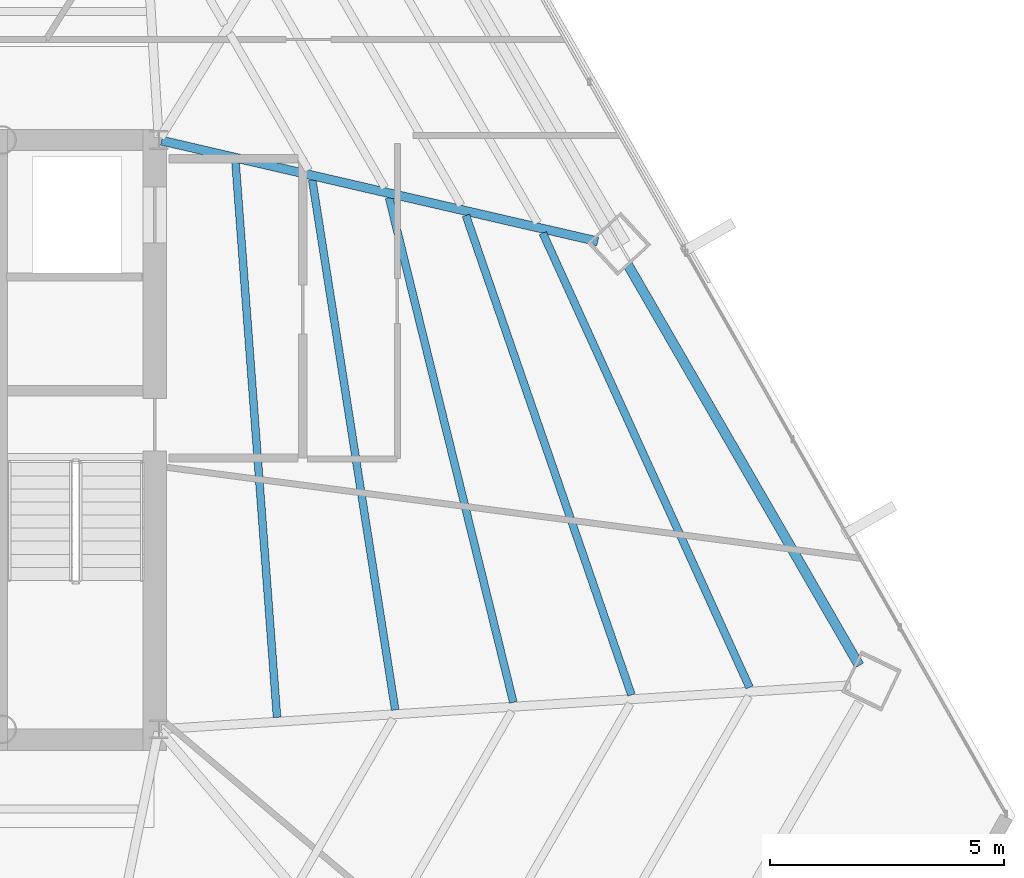
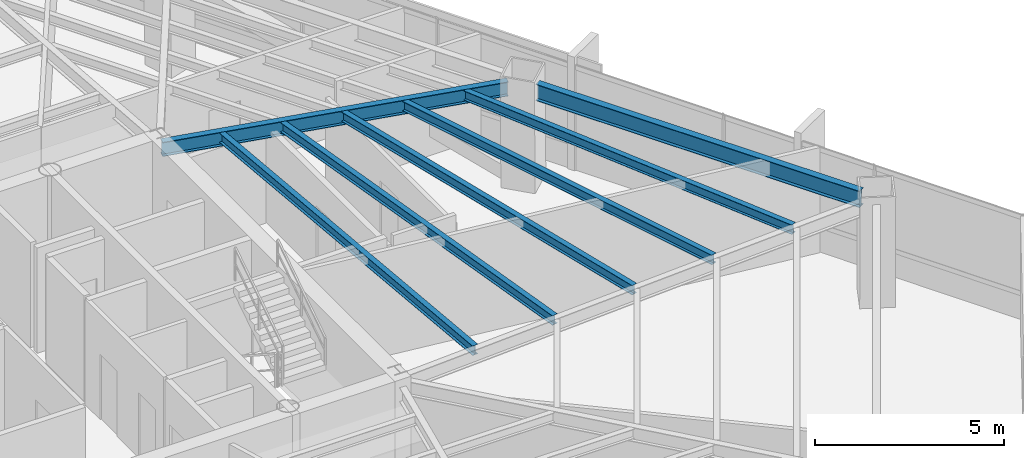
# One storey, part 22 of 39: 7 beams.
"""IFC4 building model written with IfcOpenShell, lengths in metres."""

from ifc_helpers import new_model, si_unit, direction, frame, origin, origin_2d, place, context, subcontext, project, spatial, i_section, extrude, source, transform, mapped, material, material_profile, profile_set, type_object, type_shapes, element, save


model = new_model("IFC4")

# Units and contexts
model_context = context("Model", 3, precision=1e-05, world=origin(), true_north=direction((0.0, 1.0)))
body_context = subcontext(model_context, "Body", "Model", "MODEL_VIEW")
ifc_project = project(units=[si_unit("LENGTHUNIT", "METRE"), si_unit("AREAUNIT", "SQUARE_METRE"), si_unit("VOLUMEUNIT", "CUBIC_METRE"), si_unit("PLANEANGLEUNIT", "RADIAN"), si_unit("MASSUNIT", "GRAM", prefix="KILO")], contexts=[model_context])

# Site, building, storey
site_placement = place(None, origin())
site = spatial("IfcSite", under=ifc_project, at=site_placement, CompositionType="ELEMENT")
building_placement = place(site_placement, origin())
building = spatial("IfcBuilding", under=site, at=building_placement, Name="Caelisora Broadcast Tower", CompositionType="ELEMENT")
storey_placement = place(building_placement, frame((0.0, 0.0, 142.75)))
storey = spatial("IfcBuildingStorey", under=building, at=storey_placement, Name="L37", CompositionType="ELEMENT", Elevation=142.75)

# Beams
ifc_material = material(Name="Steel Grade 350 (AS/NZS 3679.1)", Category="steel")
ifc_material_profile_1 = material_profile(ifc_material, i_section(OverallWidth=0.208984375, OverallDepth=0.532958984375, WebThickness=0.01025390625, FlangeThickness=0.015625, at=origin_2d()), Name="Steel Grade 350 (AS/NZS 3679.1)")
ifc_profile_set_1 = profile_set([ifc_material_profile_1], Name="Steel Grade 350 (AS/NZS 3679.1)")
beam_type_1 = type_object("IfcBeamType", Name="PG05", PredefinedType="BEAM", material=ifc_profile_set_1)
shared_shape_1 = source(origin(), body_context, "Body", "SweptSolid", [
    extrude(i_section(OverallWidth=0.208984375, OverallDepth=0.532958984375, WebThickness=0.01025390625, FlangeThickness=0.015625, at=origin_2d()), origin(), (0.0, 0.0, 1.0), 9.901611328125),
])
type_shapes(beam_type_1, [shared_shape_1])
beam_1_placement = place(storey_placement, frame((60.47607421875, 18.76416015625, 3.133544921875), z_axis=(-0.500013434677, 0.866017647131, 0.0), x_axis=(-0.866017647131, -0.500013434677, 0.0)))
element("IfcBeam", 1, at=beam_1_placement, inside=storey, type_object=beam_type_1, Name="L37 beam PG05", PredefinedType="BEAM", context=body_context, shape_type="MappedRepresentation", body=[
    mapped(shared_shape_1, transform((0.0, 0.0, 0.0), scale=1.0)),
])
ifc_material_profile_2 = material_profile(ifc_material, i_section(OverallWidth=0.19091796875, OverallDepth=0.46044921875, WebThickness=0.010009765625, FlangeThickness=0.01611328125, at=origin_2d()), Name="Steel Grade 350 (AS/NZS 3679.1)")
ifc_profile_set_2 = profile_set([ifc_material_profile_2], Name="Steel Grade 350 (AS/NZS 3679.1)")
beam_type_2 = type_object("IfcBeamType", Name="PG06", PredefinedType="BEAM", material=ifc_profile_set_2)
shared_shape_2 = source(origin(), body_context, "Body", "SweptSolid", [
    extrude(i_section(OverallWidth=0.19091796875, OverallDepth=0.46044921875, WebThickness=0.010009765625, FlangeThickness=0.01611328125, at=origin_2d()), origin(), (0.0, 0.0, 1.0), 9.572998046875),
])
type_shapes(beam_type_2, [shared_shape_2])
beam_2_placement = place(storey_placement, frame((45.55859375, 29.986572265625, 3.169921875), z_axis=(0.974343893225, -0.225064385754, 0.0), x_axis=(0.225064385754, 0.974343893225, 0.0)))
element("IfcBeam", 2, at=beam_2_placement, inside=storey, type_object=beam_type_2, Name="L37 beam PG06", PredefinedType="BEAM", context=body_context, shape_type="MappedRepresentation", body=[
    mapped(shared_shape_2, transform((0.0, 0.0, 0.0), scale=1.0)),
])
ifc_material_profile_3 = material_profile(ifc_material, i_section(OverallWidth=0.166015625, OverallDepth=0.30712890625, WebThickness=0.006591796875, FlangeThickness=0.01171875, at=origin_2d()), Name="Steel Grade 350 (AS/NZS 3679.1)")
ifc_profile_set_3 = profile_set([ifc_material_profile_3], Name="Steel Grade 350 (AS/NZS 3679.1)")
beam_type_3 = type_object("IfcBeamType", Name="SB03", PredefinedType="JOIST", material=ifc_profile_set_3)
shared_shape_3 = source(origin(), body_context, "Body", "SweptSolid", [
    extrude(i_section(OverallWidth=0.166015625, OverallDepth=0.30712890625, WebThickness=0.006591796875, FlangeThickness=0.01171875, at=origin_2d()), origin(), (0.0, 0.0, 1.0), 11.906005859375),
])
beam_3_placement = place(storey_placement, frame((48.02734375, 17.6533203125, 3.246337890625), z_axis=(-0.074538625415, 0.997218127253, 0.0), x_axis=(-0.997218127253, -0.074538625415, 0.0)))
element("IfcBeam", 3, at=beam_3_placement, inside=storey, type_object=beam_type_3, Name="L37 beam SB03", PredefinedType="JOIST", context=body_context, shape_type="MappedRepresentation", body=[
    mapped(shared_shape_3, transform((0.0, 0.0, 0.0), scale=1.0)),
])
shared_shape_4 = source(origin(), body_context, "Body", "SweptSolid", [
    extrude(i_section(OverallWidth=0.166015625, OverallDepth=0.30712890625, WebThickness=0.006591796875, FlangeThickness=0.01171875, at=origin_2d()), origin(), (0.0, 0.0, 1.0), 11.471435546875),
])
beam_4_placement = place(storey_placement, frame((50.55419921875, 17.813720703125, 3.246337890625), z_axis=(-0.154617089586, 0.987974471132, 0.0), x_axis=(-0.987974471132, -0.154617089586, 0.0)))
element("IfcBeam", 4, at=beam_4_placement, inside=storey, type_object=beam_type_3, Name="L37 beam SB03", PredefinedType="JOIST", context=body_context, shape_type="MappedRepresentation", body=[
    mapped(shared_shape_4, transform((0.0, 0.0, 0.0), scale=1.0)),
])
shared_shape_5 = source(origin(), body_context, "Body", "SweptSolid", [
    extrude(i_section(OverallWidth=0.166015625, OverallDepth=0.30712890625, WebThickness=0.006591796875, FlangeThickness=0.01171875, at=origin_2d()), origin(), (0.0, 0.0, 1.0), 11.1162109375),
])
beam_5_placement = place(storey_placement, frame((53.08056640625, 17.97412109375, 3.246337890625), z_axis=(-0.2391079311, 0.970992995487, 0.0), x_axis=(-0.970992995487, -0.2391079311, 0.0)))
element("IfcBeam", 5, at=beam_5_placement, inside=storey, type_object=beam_type_3, Name="L37 beam SB03", PredefinedType="JOIST", context=body_context, shape_type="MappedRepresentation", body=[
    mapped(shared_shape_5, transform((0.0, 0.0, 0.0), scale=1.0)),
])
shared_shape_6 = source(origin(), body_context, "Body", "SweptSolid", [
    extrude(i_section(OverallWidth=0.166015625, OverallDepth=0.30712890625, WebThickness=0.006591796875, FlangeThickness=0.01171875, at=origin_2d()), origin(), (0.0, 0.0, 1.0), 10.84716796875),
])
beam_6_placement = place(storey_placement, frame((55.60595703125, 18.134765625, 3.246337890625), z_axis=(-0.326358288624, 0.945246141196, 0.0), x_axis=(-0.945246141196, -0.326358288624, 0.0)))
element("IfcBeam", 6, at=beam_6_placement, inside=storey, type_object=beam_type_3, Name="L37 beam SB03", PredefinedType="JOIST", context=body_context, shape_type="MappedRepresentation", body=[
    mapped(shared_shape_6, transform((0.0, 0.0, 0.0), scale=1.0)),
])
shared_shape_7 = source(origin(), body_context, "Body", "SweptSolid", [
    extrude(i_section(OverallWidth=0.166015625, OverallDepth=0.30712890625, WebThickness=0.006591796875, FlangeThickness=0.01171875, at=origin_2d()), origin(), (0.0, 0.0, 1.0), 10.6708984375),
])
type_shapes(beam_type_3, [shared_shape_3, shared_shape_4, shared_shape_5, shared_shape_6, shared_shape_7])
beam_7_placement = place(storey_placement, frame((58.130615234375, 18.295166015625, 3.246337890625), z_axis=(-0.414159734404, 0.910204215766, 0.0), x_axis=(-0.910204215766, -0.414159734404, 0.0)))
element("IfcBeam", 7, at=beam_7_placement, inside=storey, type_object=beam_type_3, Name="L37 beam SB03", PredefinedType="JOIST", context=body_context, shape_type="MappedRepresentation", body=[
    mapped(shared_shape_7, transform((0.0, 0.0, 0.0), scale=1.0)),
])

save(model, "model.ifc")
